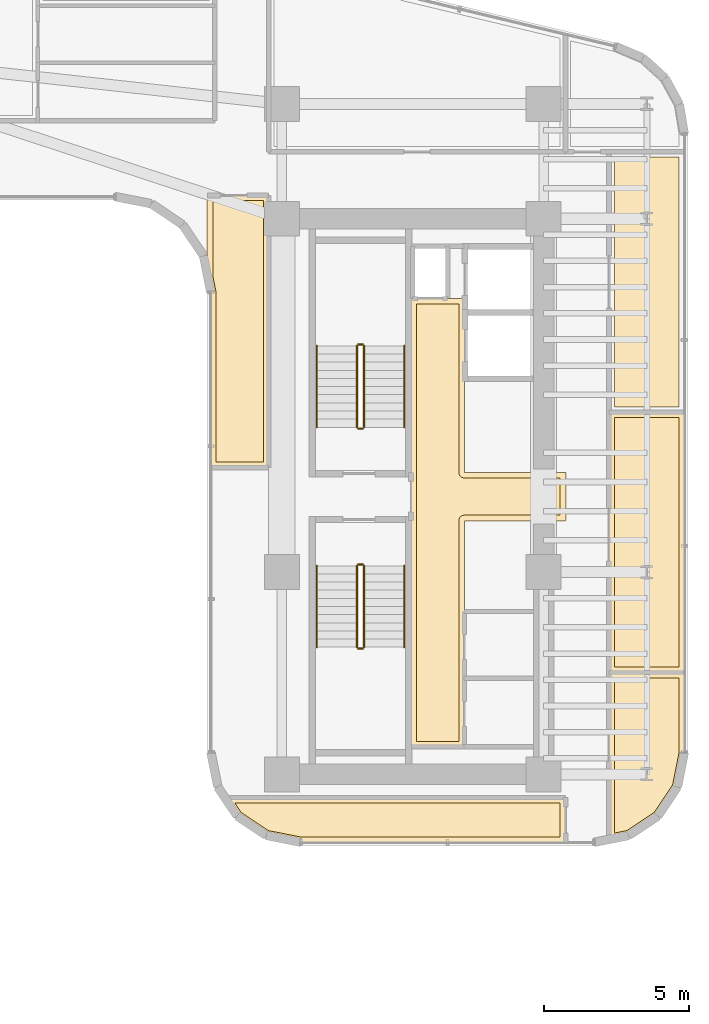
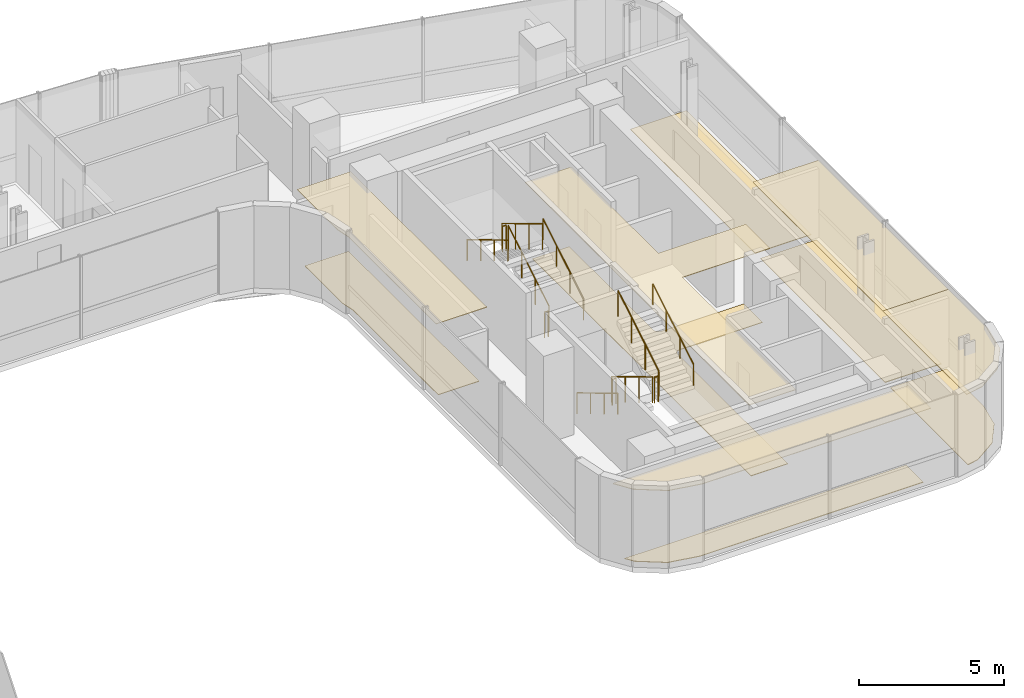
# One storey, part 36 of 38: 12 railings, 11 coverings.
"""IFC4 building model written with IfcOpenShell, lengths in metres."""

from ifc_helpers import new_model, si_unit, direction, frame, origin, origin_2d, place, context, subcontext, project, spatial, polyline, circle, outline, extrude, material, layer, layer_set, type_object, element, save


model = new_model("IFC4")

# Units and contexts
model_context = context("Model", 3, precision=1e-05, world=origin(), true_north=direction((0.0, 1.0)))
body_context = subcontext(model_context, "Body", "Model", "MODEL_VIEW")
ifc_project = project(units=[si_unit("LENGTHUNIT", "METRE"), si_unit("AREAUNIT", "SQUARE_METRE"), si_unit("VOLUMEUNIT", "CUBIC_METRE"), si_unit("PLANEANGLEUNIT", "RADIAN"), si_unit("MASSUNIT", "GRAM", prefix="KILO")], contexts=[model_context])

# Site, building, storey
site_placement = place(None, origin())
site = spatial("IfcSite", under=ifc_project, at=site_placement, CompositionType="ELEMENT")
building_placement = place(site_placement, origin())
building = spatial("IfcBuilding", under=site, at=building_placement, Name="Valdorenza Pilgrim Sanctuary Tower", CompositionType="ELEMENT")
storey_placement = place(building_placement, frame((0.0, 0.0, 131.60009765625)))
storey = spatial("IfcBuildingStorey", under=building, at=storey_placement, Name="L33", CompositionType="ELEMENT", Elevation=131.60009765625)

# Coverings
ifc_material_1 = material(Name="Micro-perforated acoustic mineral ceiling tile", Category="gypsum")
ifc_layer_1 = layer(ifc_material_1, 0.02490234375, Name="Micro-perforated acoustic mineral ceiling tile")
ifc_layer_set_1 = layer_set([ifc_layer_1], Name="Micro-perforated acoustic mineral ceiling tile")
covering_type_1 = type_object("IfcCoveringType", Name="COV-CLG-ACU", PredefinedType="CEILING", material=ifc_layer_set_1)
covering_1_placement = place(storey_placement, frame((0.0, 0.0, 3.159912109375)))
element("IfcCovering", 1, at=covering_1_placement, inside=storey, type_object=covering_type_1, Name="L33 Core B Passenger Lift Lobby Acoustic Ceiling", PredefinedType="CEILING", context=body_context, shape_type="SweptSolid", body=[
    extrude(outline(polyline([(20.287109375, -0.814697265625), (20.287109375, 0.814697265625), (20.28662109375, 0.815185546875), (20.2861328125, 0.81640625), (20.28564453125, 0.81787109375), (20.285400390625, 0.819091796875), (20.28515625, 0.820556640625), (20.284912109375, 0.822021484375), (20.284912109375, 6.800048828125), (20.28515625, 6.801513671875), (20.285400390625, 6.802978515625), (20.28564453125, 6.804443359375), (20.2861328125, 6.8056640625), (20.286865234375, 6.80712890625), (20.28759765625, 6.808349609375), (20.288330078125, 6.8095703125), (20.289306640625, 6.810546875), (20.29052734375, 6.8115234375), (20.291748046875, 6.8125), (20.29296875, 6.813232421875), (20.294189453125, 6.81396484375), (20.295654296875, 6.814453125), (20.297119140625, 6.814697265625), (20.298583984375, 6.81494140625), (20.300048828125, 6.81494140625), (20.347900390625, 6.81494140625), (20.349365234375, 6.81494140625), (20.350830078125, 6.814697265625), (20.352294921875, 6.814453125), (20.353515625, 6.81396484375), (20.35498046875, 6.813232421875), (20.35546875, 6.81298828125), (21.544677734375, 6.81298828125), (21.545166015625, 6.813232421875), (21.54638671875, 6.81396484375), (21.5478515625, 6.814453125), (21.54931640625, 6.814697265625), (21.550537109375, 6.81494140625), (21.552001953125, 6.81494140625), (22.1201171875, 6.81494140625), (22.12158203125, 6.81494140625), (22.122802734375, 6.814697265625), (22.12451171875, 6.814453125), (22.125732421875, 6.81396484375), (22.127197265625, 6.813232421875), (22.12841796875, 6.8125), (22.12939453125, 6.8115234375), (22.130615234375, 6.810546875), (22.131591796875, 6.8095703125), (22.132568359375, 6.808349609375), (22.13330078125, 6.80712890625), (22.1337890625, 6.8056640625), (22.134521484375, 6.804443359375), (22.134765625, 6.802978515625), (22.135009765625, 6.801513671875), (22.135009765625, 6.800048828125), (22.135009765625, 0.8349609375), (25.60009765625, 0.8349609375), (25.6015625, 0.8349609375), (25.602783203125, 0.834716796875), (25.6044921875, 0.83447265625), (25.605712890625, 0.833984375), (25.607177734375, 0.833251953125), (25.6083984375, 0.83251953125), (25.609619140625, 0.83154296875), (25.610595703125, 0.83056640625), (25.611572265625, 0.82958984375), (25.612548828125, 0.828369140625), (25.61328125, 0.8271484375), (25.614013671875, 0.82568359375), (25.614501953125, 0.824462890625), (25.61474609375, 0.822998046875), (25.614990234375, 0.821533203125), (25.614990234375, 0.820068359375), (25.614990234375, -0.820068359375), (25.614990234375, -0.821533203125), (25.61474609375, -0.822998046875), (25.614501953125, -0.824462890625), (25.614013671875, -0.82568359375), (25.61328125, -0.8271484375), (25.612548828125, -0.828369140625), (25.611572265625, -0.82958984375), (25.610595703125, -0.83056640625), (25.609619140625, -0.83154296875), (25.6083984375, -0.83251953125), (25.607177734375, -0.833251953125), (25.605712890625, -0.833984375), (25.6044921875, -0.83447265625), (25.602783203125, -0.834716796875), (25.6015625, -0.8349609375), (25.60009765625, -0.8349609375), (22.135009765625, -0.8349609375), (22.135009765625, -8.60009765625), (22.135009765625, -8.6015625), (22.134765625, -8.602783203125), (22.134521484375, -8.6044921875), (22.1337890625, -8.605712890625), (22.13330078125, -8.607177734375), (22.132568359375, -8.6083984375), (22.131591796875, -8.609619140625), (22.130615234375, -8.610595703125), (22.12939453125, -8.611572265625), (22.12841796875, -8.612548828125), (22.127197265625, -8.61328125), (22.125732421875, -8.614013671875), (22.12451171875, -8.614501953125), (22.122802734375, -8.61474609375), (22.12158203125, -8.614990234375), (22.1201171875, -8.614990234375), (20.300048828125, -8.614990234375), (20.298583984375, -8.614990234375), (20.297119140625, -8.61474609375), (20.295654296875, -8.614501953125), (20.294189453125, -8.614013671875), (20.29296875, -8.61328125), (20.291748046875, -8.612548828125), (20.29052734375, -8.611572265625), (20.289306640625, -8.610595703125), (20.288330078125, -8.609619140625), (20.28759765625, -8.6083984375), (20.286865234375, -8.607177734375), (20.2861328125, -8.605712890625), (20.28564453125, -8.6044921875), (20.285400390625, -8.602783203125), (20.28515625, -8.6015625), (20.284912109375, -8.60009765625), (20.284912109375, -0.822021484375), (20.28515625, -0.820556640625), (20.285400390625, -0.819091796875), (20.28564453125, -0.81787109375), (20.2861328125, -0.81640625), (20.28662109375, -0.815185546875), (20.287109375, -0.814697265625)])), origin(), (0.0, 0.0, 1.0), 0.02490234375),
])
covering_2_placement = place(storey_placement, frame((0.0, 0.0, 3.159912109375)))
element("IfcCovering", 2, at=covering_2_placement, inside=storey, type_object=covering_type_1, Name="L33 Sacred Manuscript Archive L33-BS Acoustic Ceiling", PredefinedType="CEILING", context=body_context, shape_type="SweptSolid", body=[
    extrude(outline(polyline([(25.614990234375, -11.889892578125), (25.614990234375, -11.8916015625), (25.61474609375, -11.892822265625), (25.614501953125, -11.894287109375), (25.614013671875, -11.895751953125), (25.61328125, -11.897216796875), (25.612548828125, -11.898193359375), (25.611572265625, -11.8994140625), (25.610595703125, -11.900634765625), (25.609619140625, -11.901611328125), (25.6083984375, -11.902587890625), (25.607177734375, -11.9033203125), (25.605712890625, -11.90380859375), (25.6044921875, -11.904296875), (25.602783203125, -11.90478515625), (25.6015625, -11.90478515625), (25.60009765625, -11.905029296875), (16.5107421875, -11.905029296875), (16.509521484375, -11.90478515625), (16.5078125, -11.90478515625), (15.3154296875, -11.66748046875), (15.31396484375, -11.6669921875), (15.3125, -11.66650390625), (15.311279296875, -11.666015625), (15.31005859375, -11.665283203125), (14.308349609375, -10.995849609375), (14.30712890625, -10.9951171875), (14.305908203125, -10.993896484375), (14.304931640625, -10.992919921875), (14.30419921875, -10.99169921875), (13.880859375, -10.3583984375), (13.880126953125, -10.357177734375), (13.87939453125, -10.355712890625), (13.87890625, -10.3544921875), (13.878662109375, -10.352783203125), (13.87841796875, -10.3515625), (13.87841796875, -10.35009765625), (13.87841796875, -10.348388671875), (13.878662109375, -10.34716796875), (13.87890625, -10.345703125), (13.87939453125, -10.34423828125), (13.880126953125, -10.343017578125), (13.880859375, -10.341796875), (13.881591796875, -10.340576171875), (13.8828125, -10.33935546875), (13.8837890625, -10.33837890625), (13.885009765625, -10.33740234375), (13.88623046875, -10.3369140625), (13.8876953125, -10.336181640625), (13.888916015625, -10.335693359375), (13.890380859375, -10.335205078125), (13.891845703125, -10.335205078125), (13.893310546875, -10.3349609375), (25.60009765625, -10.3349609375), (25.6015625, -10.335205078125), (25.602783203125, -10.335205078125), (25.6044921875, -10.335693359375), (25.605712890625, -10.336181640625), (25.607177734375, -10.3369140625), (25.6083984375, -10.33740234375), (25.609619140625, -10.33837890625), (25.610595703125, -10.33935546875), (25.611572265625, -10.340576171875), (25.612548828125, -10.341796875), (25.61328125, -10.343017578125), (25.614013671875, -10.34423828125), (25.614501953125, -10.345703125), (25.61474609375, -10.34716796875), (25.614990234375, -10.348388671875), (25.614990234375, -10.35009765625), (25.614990234375, -11.889892578125)])), origin(), (0.0, 0.0, 1.0), 0.02490234375),
])
covering_3_placement = place(storey_placement, frame((0.0, 0.0, 3.159912109375)))
element("IfcCovering", 3, at=covering_3_placement, inside=storey, type_object=covering_type_1, Name="L33 East Reading Lounge L33-EB1 Acoustic Ceiling", PredefinedType="CEILING", context=body_context, shape_type="SweptSolid", body=[
    extrude(outline(polyline([(29.68994140625, -6.034912109375), (29.69140625, -6.03515625), (29.69287109375, -6.035400390625), (29.6943359375, -6.03564453125), (29.69580078125, -6.0361328125), (29.697021484375, -6.036865234375), (29.6982421875, -6.03759765625), (29.699462890625, -6.038330078125), (29.70068359375, -6.039306640625), (29.70166015625, -6.04052734375), (29.702392578125, -6.041748046875), (29.703125, -6.04296875), (29.703857421875, -6.044189453125), (29.704345703125, -6.045654296875), (29.70458984375, -6.047119140625), (29.704833984375, -6.048583984375), (29.705078125, -6.050048828125), (29.705078125, -8.789306640625), (29.704833984375, -8.79052734375), (29.70458984375, -8.7919921875), (29.467529296875, -9.984619140625), (29.467041015625, -9.986083984375), (29.466552734375, -9.9873046875), (29.466064453125, -9.98876953125), (29.46533203125, -9.989990234375), (28.7958984375, -10.99169921875), (28.794921875, -10.992919921875), (28.7939453125, -10.993896484375), (28.79296875, -10.9951171875), (28.791748046875, -10.995849609375), (27.7900390625, -11.665283203125), (27.788818359375, -11.666015625), (27.787353515625, -11.66650390625), (27.785888671875, -11.6669921875), (27.78466796875, -11.66748046875), (27.102783203125, -11.802978515625), (27.1015625, -11.80322265625), (27.10009765625, -11.803466796875), (27.098388671875, -11.80322265625), (27.09716796875, -11.802978515625), (27.095703125, -11.802734375), (27.09423828125, -11.80224609375), (27.093017578125, -11.801513671875), (27.091796875, -11.80078125), (27.090576171875, -11.800048828125), (27.08935546875, -11.799072265625), (27.08837890625, -11.7978515625), (27.08740234375, -11.796630859375), (27.0869140625, -11.79541015625), (27.086181640625, -11.794189453125), (27.085693359375, -11.792724609375), (27.085205078125, -11.791259765625), (27.085205078125, -11.789794921875), (27.0849609375, -11.788330078125), (27.0849609375, -6.050048828125), (27.085205078125, -6.048583984375), (27.085205078125, -6.047119140625), (27.085693359375, -6.045654296875), (27.086181640625, -6.044189453125), (27.0869140625, -6.04296875), (27.08740234375, -6.041748046875), (27.08837890625, -6.04052734375), (27.08935546875, -6.039306640625), (27.090576171875, -6.038330078125), (27.091796875, -6.03759765625), (27.093017578125, -6.036865234375), (27.09423828125, -6.0361328125), (27.095703125, -6.03564453125), (27.09716796875, -6.035400390625), (27.098388671875, -6.03515625), (27.10009765625, -6.034912109375), (29.68994140625, -6.034912109375)])), origin(), (0.0, 0.0, 1.0), 0.02490234375),
])
covering_4_placement = place(storey_placement, frame((0.0, 0.0, 3.159912109375)))
element("IfcCovering", 4, at=covering_4_placement, inside=storey, type_object=covering_type_1, Name="L33 East Reading Lounge L33-EB2 Acoustic Ceiling", PredefinedType="CEILING", context=body_context, shape_type="SweptSolid", body=[
    extrude(outline(polyline([(27.0849609375, 2.89990234375), (27.085205078125, 2.901611328125), (27.085205078125, 2.90283203125), (27.085693359375, 2.904296875), (27.086181640625, 2.90576171875), (27.0869140625, 2.906982421875), (27.08740234375, 2.908203125), (27.08837890625, 2.909423828125), (27.08935546875, 2.91064453125), (27.090576171875, 2.91162109375), (27.091796875, 2.91259765625), (27.093017578125, 2.9130859375), (27.09423828125, 2.913818359375), (27.095703125, 2.914306640625), (27.09716796875, 2.914794921875), (27.098388671875, 2.914794921875), (27.10009765625, 2.9150390625), (29.68994140625, 2.9150390625), (29.69140625, 2.914794921875), (29.69287109375, 2.914794921875), (29.6943359375, 2.914306640625), (29.69580078125, 2.913818359375), (29.697021484375, 2.9130859375), (29.6982421875, 2.91259765625), (29.699462890625, 2.91162109375), (29.70068359375, 2.91064453125), (29.70166015625, 2.909423828125), (29.702392578125, 2.908203125), (29.703125, 2.906982421875), (29.703857421875, 2.90576171875), (29.704345703125, 2.904296875), (29.70458984375, 2.90283203125), (29.704833984375, 2.901611328125), (29.705078125, 2.89990234375), (29.705078125, -6.048095703125), (29.704833984375, -6.049560546875), (29.70458984375, -6.05078125), (29.704345703125, -6.052490234375), (29.703857421875, -6.0537109375), (29.703125, -6.05517578125), (29.702392578125, -6.056396484375), (29.70166015625, -6.0576171875), (29.70068359375, -6.05859375), (29.699462890625, -6.0595703125), (29.6982421875, -6.060546875), (29.697021484375, -6.061279296875), (29.69580078125, -6.06201171875), (29.6943359375, -6.0625), (29.69287109375, -6.062744140625), (29.69140625, -6.06298828125), (29.68994140625, -6.06298828125), (27.10009765625, -6.06298828125), (27.098388671875, -6.06298828125), (27.09716796875, -6.062744140625), (27.095703125, -6.0625), (27.09423828125, -6.06201171875), (27.093017578125, -6.061279296875), (27.091796875, -6.060546875), (27.090576171875, -6.0595703125), (27.08935546875, -6.05859375), (27.08837890625, -6.0576171875), (27.08740234375, -6.056396484375), (27.0869140625, -6.05517578125), (27.086181640625, -6.0537109375), (27.085693359375, -6.052490234375), (27.085205078125, -6.05078125), (27.085205078125, -6.049560546875), (27.0849609375, -6.048095703125), (27.0849609375, 2.89990234375)])), origin(), (0.0, 0.0, 1.0), 0.02490234375),
])
covering_5_placement = place(storey_placement, frame((0.0, 0.0, 3.159912109375)))
element("IfcCovering", 5, at=covering_5_placement, inside=storey, type_object=covering_type_1, Name="L33 Courtyard Overlook Salon L33 Acoustic Ceiling", PredefinedType="CEILING", context=body_context, shape_type="SweptSolid", body=[
    extrude(outline(polyline([(15.39990234375, 10.364990234375), (15.401611328125, 10.364990234375), (15.40283203125, 10.36474609375), (15.404296875, 10.364501953125), (15.40576171875, 10.364013671875), (15.406982421875, 10.36328125), (15.408203125, 10.362548828125), (15.409423828125, 10.361572265625), (15.41064453125, 10.360595703125), (15.41162109375, 10.359619140625), (15.41259765625, 10.3583984375), (15.4130859375, 10.357177734375), (15.413818359375, 10.355712890625), (15.414306640625, 10.3544921875), (15.414794921875, 10.352783203125), (15.414794921875, 10.3515625), (15.4150390625, 10.35009765625), (15.4150390625, 1.0), (15.414794921875, 0.99853515625), (15.414794921875, 0.9970703125), (15.414306640625, 0.99560546875), (15.413818359375, 0.994384765625), (15.4130859375, 0.992919921875), (15.41259765625, 0.99169921875), (15.41162109375, 0.990478515625), (15.41064453125, 0.989501953125), (15.409423828125, 0.98828125), (15.408203125, 0.987548828125), (15.406982421875, 0.98681640625), (15.40576171875, 0.986083984375), (15.404296875, 0.985595703125), (15.40283203125, 0.9853515625), (15.401611328125, 0.985107421875), (15.39990234375, 0.985107421875), (13.409912109375, 0.985107421875), (13.408447265625, 0.985107421875), (13.406982421875, 0.9853515625), (13.405517578125, 0.985595703125), (13.404296875, 0.986083984375), (13.40283203125, 0.98681640625), (13.401611328125, 0.987548828125), (13.400390625, 0.98828125), (13.3994140625, 0.989501953125), (13.3984375, 0.990478515625), (13.3974609375, 0.99169921875), (13.396728515625, 0.992919921875), (13.39599609375, 0.994384765625), (13.3955078125, 0.99560546875), (13.395263671875, 0.9970703125), (13.39501953125, 0.99853515625), (13.39501953125, 1.0), (13.39501953125, 6.99951171875), (13.39453125, 7.00927734375), (13.39306640625, 7.018798828125), (13.285400390625, 7.560791015625), (13.28515625, 7.562255859375), (13.284912109375, 7.563720703125), (13.284912109375, 10.35009765625), (13.28515625, 10.3515625), (13.285400390625, 10.352783203125), (13.28564453125, 10.3544921875), (13.2861328125, 10.355712890625), (13.286865234375, 10.357177734375), (13.28759765625, 10.3583984375), (13.288330078125, 10.359619140625), (13.289306640625, 10.360595703125), (13.29052734375, 10.361572265625), (13.291748046875, 10.362548828125), (13.29296875, 10.36328125), (13.294189453125, 10.364013671875), (13.295654296875, 10.364501953125), (13.297119140625, 10.36474609375), (13.298583984375, 10.364990234375), (13.300048828125, 10.364990234375), (15.39990234375, 10.364990234375)])), origin(), (0.0, 0.0, 1.0), 0.02490234375),
])
ifc_material_2 = material(Name="Honed travertine stone flooring", Category="masonry")
ifc_layer_2 = layer(ifc_material_2, 0.030029296875, Name="Honed travertine stone flooring")
ifc_layer_set_2 = layer_set([ifc_layer_2], Name="Honed travertine stone flooring")
covering_type_2 = type_object("IfcCoveringType", Name="COV-FLR-TRV", PredefinedType="FLOORING", material=ifc_layer_set_2)
covering_6_placement = place(storey_placement, origin())
element("IfcCovering", 6, at=covering_6_placement, inside=storey, type_object=covering_type_2, Name="L33 Core B Passenger Lift Lobby Flooring", PredefinedType="FLOORING", context=body_context, shape_type="SweptSolid", body=[
    extrude(outline(polyline([(20.47998046875, 6.617919921875), (21.550048828125, 6.617919921875), (21.550537109375, 6.617919921875), (21.93994140625, 6.619384765625), (21.93994140625, 0.820068359375), (21.94091796875, 0.802490234375), (21.943603515625, 0.784912109375), (21.94775390625, 0.767578125), (21.95361328125, 0.751220703125), (21.961181640625, 0.735107421875), (21.97021484375, 0.719970703125), (21.98095703125, 0.705810546875), (21.99267578125, 0.692626953125), (22.005859375, 0.680908203125), (22.02001953125, 0.67041015625), (22.03515625, 0.661376953125), (22.051025390625, 0.65380859375), (22.067626953125, 0.647705078125), (22.0849609375, 0.6435546875), (22.102294921875, 0.640869140625), (22.1201171875, 0.639892578125), (25.419921875, 0.639892578125), (25.419921875, -0.639892578125), (22.1201171875, -0.639892578125), (22.102294921875, -0.640869140625), (22.0849609375, -0.6435546875), (22.067626953125, -0.647705078125), (22.051025390625, -0.65380859375), (22.03515625, -0.661376953125), (22.02001953125, -0.67041015625), (22.005859375, -0.680908203125), (21.99267578125, -0.692626953125), (21.98095703125, -0.705810546875), (21.97021484375, -0.719970703125), (21.961181640625, -0.735107421875), (21.95361328125, -0.751220703125), (21.94775390625, -0.767578125), (21.943603515625, -0.784912109375), (21.94091796875, -0.802490234375), (21.93994140625, -0.820068359375), (21.93994140625, -8.419921875), (20.47998046875, -8.419921875), (20.47998046875, -0.846923828125), (20.47998046875, -0.8466796875), (20.47998046875, -0.8466796875), (20.481689453125, -0.8291015625), (20.481689453125, -0.828857421875), (20.48193359375, -0.820068359375), (20.48193359375, 0.820068359375), (20.47998046875, 6.617919921875)])), origin(), (0.0, 0.0, 1.0), 0.02490234375),
])
covering_7_placement = place(storey_placement, origin())
element("IfcCovering", 7, at=covering_7_placement, inside=storey, type_object=covering_type_2, Name="L33 Sacred Manuscript Archive L33-BS Flooring", PredefinedType="FLOORING", context=body_context, shape_type="SweptSolid", body=[
    extrude(outline(polyline([(25.419921875, -11.7099609375), (16.528564453125, -11.7099609375), (15.388671875, -11.483154296875), (14.4462890625, -10.853515625), (14.22998046875, -10.530029296875), (25.419921875, -10.530029296875), (25.419921875, -11.7099609375)])), origin(), (0.0, 0.0, 1.0), 0.02490234375),
])
covering_8_placement = place(storey_placement, origin())
element("IfcCovering", 8, at=covering_8_placement, inside=storey, type_object=covering_type_2, Name="L33 East Reading Lounge L33-EB1 Flooring", PredefinedType="FLOORING", context=body_context, shape_type="SweptSolid", body=[
    extrude(outline(polyline([(29.510009765625, -6.22998046875), (29.510009765625, -8.771484375), (29.283203125, -9.911376953125), (28.653564453125, -10.853515625), (27.71142578125, -11.483154296875), (27.280029296875, -11.569091796875), (27.280029296875, -6.22998046875), (29.510009765625, -6.22998046875)])), origin(), (0.0, 0.0, 1.0), 0.02490234375),
])
covering_9_placement = place(storey_placement, origin())
element("IfcCovering", 9, at=covering_9_placement, inside=storey, type_object=covering_type_2, Name="L33 East Reading Lounge L33-EB2 Flooring", PredefinedType="FLOORING", context=body_context, shape_type="SweptSolid", body=[
    extrude(outline(polyline([(27.280029296875, 2.719970703125), (29.510009765625, 2.719970703125), (29.510009765625, -5.867919921875), (27.280029296875, -5.867919921875), (27.280029296875, 2.719970703125)])), origin(), (0.0, 0.0, 1.0), 0.02490234375),
])
covering_10_placement = place(storey_placement, origin())
element("IfcCovering", 10, at=covering_10_placement, inside=storey, type_object=covering_type_2, Name="L33 East Reading Lounge L33-EB3 Flooring", PredefinedType="FLOORING", context=body_context, shape_type="SweptSolid", body=[
    extrude(outline(polyline([(27.280029296875, 11.66796875), (29.510009765625, 11.66796875), (29.510009765625, 3.08203125), (27.280029296875, 3.08203125), (27.280029296875, 11.66796875)])), origin(), (0.0, 0.0, 1.0), 0.02490234375),
])
covering_11_placement = place(storey_placement, origin())
element("IfcCovering", 11, at=covering_11_placement, inside=storey, type_object=covering_type_2, Name="L33 Courtyard Overlook Salon L33 Flooring", PredefinedType="FLOORING", context=body_context, shape_type="SweptSolid", body=[
    extrude(outline(polyline([(15.219970703125, 10.169921875), (15.219970703125, 1.179931640625), (13.590087890625, 1.179931640625), (13.590087890625, 7.0), (13.58984375, 7.0087890625), (13.58935546875, 7.01953125), (13.58740234375, 7.037109375), (13.5859375, 7.0478515625), (13.58447265625, 7.056640625), (13.47998046875, 7.58154296875), (13.47998046875, 10.169921875), (15.219970703125, 10.169921875)])), origin(), (0.0, 0.0, 1.0), 0.02490234375),
])

# Railings
ifc_material_3 = material(Name="Stainless steel Grade 316", Category="steel")
railing_type_1 = type_object("IfcRailingType", Name="RLG-GRD-1120", PredefinedType="GUARDRAIL", material=ifc_material_3)
railing_1_placement = place(storey_placement, frame((18.679931640625, 2.3798828125, 0.16796875)))
element("IfcRailing", 12, at=railing_1_placement, inside=storey, type_object=railing_type_1, Name="L33 ST-B1 stair guard 1", PredefinedType="GUARDRAIL", context=body_context, shape_type="SweptSolid", body=[
    extrude(circle(Radius=0.02392578125, at=origin_2d()), frame((0.0, 0.0, 1.076171875), z_axis=(0.0, 0.857242210791, 0.514913383045), x_axis=(-1.0, 0.0, 0.0)), (0.0, 0.0, 1.0), 3.266357421875),
    extrude(circle(Radius=0.02099609375, at=origin_2d()), origin(), (0.0, 0.0, 1.0), 1.052001953125),
    extrude(circle(Radius=0.02099609375, at=origin_2d()), frame((0.0, 0.933349609375, 0.560546875)), (0.0, 0.0, 1.0), 1.052001953125),
    extrude(circle(Radius=0.02099609375, at=origin_2d()), frame((0.0, 1.86669921875, 1.121337890625)), (0.0, 0.0, 1.0), 1.052001953125),
    extrude(circle(Radius=0.02099609375, at=origin_2d()), frame((0.0, 2.800048828125, 1.681884765625)), (0.0, 0.0, 1.0), 1.052001953125),
])
railing_2_placement = place(storey_placement, frame((18.6298828125, 5.22998046875, 1.849853515625)))
element("IfcRailing", 13, at=railing_2_placement, inside=storey, type_object=railing_type_1, Name="L33 ST-B1 stair guard 2", PredefinedType="GUARDRAIL", context=body_context, shape_type="SweptSolid", body=[
    extrude(circle(Radius=0.02392578125, at=origin_2d()), frame((0.0, 0.0, 1.076171875), z_axis=(-1.0, 0.0, 0.0), x_axis=(0.0, -1.0, 0.0)), (0.0, 0.0, 1.0), 0.14990234375),
    extrude(circle(Radius=0.02099609375, at=origin_2d()), origin(), (0.0, 0.0, 1.0), 1.052001953125),
    extrude(circle(Radius=0.02099609375, at=origin_2d()), frame((-0.14990234375, 0.0, 0.0)), (0.0, 0.0, 1.0), 1.052001953125),
])
railing_3_placement = place(storey_placement, frame((18.429931640625, 5.179931640625, 2.01806640625)))
element("IfcRailing", 14, at=railing_3_placement, inside=storey, type_object=railing_type_1, Name="L33 ST-B1 stair guard 3", PredefinedType="GUARDRAIL", context=body_context, shape_type="SweptSolid", body=[
    extrude(circle(Radius=0.02392578125, at=origin_2d()), frame((0.0, 0.0, 1.076171875), z_axis=(0.0, -0.857242210791, 0.514913383045), x_axis=(1.0, 0.0, 0.0)), (0.0, 0.0, 1.0), 3.266357421875),
    extrude(circle(Radius=0.02099609375, at=origin_2d()), origin(), (0.0, 0.0, 1.0), 1.052001953125),
    extrude(circle(Radius=0.02099609375, at=origin_2d()), frame((0.0, -0.933349609375, 0.560546875)), (0.0, 0.0, 1.0), 1.052001953125),
    extrude(circle(Radius=0.02099609375, at=origin_2d()), frame((0.0, -1.86669921875, 1.121337890625)), (0.0, 0.0, 1.0), 1.052001953125),
    extrude(circle(Radius=0.02099609375, at=origin_2d()), frame((0.0, -2.800048828125, 1.681884765625)), (0.0, 0.0, 1.0), 1.052001953125),
])
railing_4_placement = place(storey_placement, frame((18.6298828125, 2.330078125, 0.0)))
element("IfcRailing", 15, at=railing_4_placement, inside=storey, type_object=railing_type_1, Name="L33 ST-B1 stair guard 4", PredefinedType="GUARDRAIL", context=body_context, shape_type="SweptSolid", body=[
    extrude(circle(Radius=0.02392578125, at=origin_2d()), frame((0.0, 0.0, 1.076171875), z_axis=(-1.0, 0.0, 0.0), x_axis=(0.0, -1.0, 0.0)), (0.0, 0.0, 1.0), 0.14990234375),
    extrude(circle(Radius=0.02099609375, at=origin_2d()), origin(), (0.0, 0.0, 1.0), 1.052001953125),
    extrude(circle(Radius=0.02099609375, at=origin_2d()), frame((-0.14990234375, 0.0, 0.0)), (0.0, 0.0, 1.0), 1.052001953125),
])
railing_5_placement = place(storey_placement, frame((18.429931640625, -2.3798828125, 0.16796875)))
element("IfcRailing", 16, at=railing_5_placement, inside=storey, type_object=railing_type_1, Name="L33 ST-B2 stair guard 1", PredefinedType="GUARDRAIL", context=body_context, shape_type="SweptSolid", body=[
    extrude(circle(Radius=0.02392578125, at=origin_2d()), frame((0.0, 0.0, 1.076171875), z_axis=(0.0, -0.857242210791, 0.514913383045), x_axis=(1.0, 0.0, 0.0)), (0.0, 0.0, 1.0), 3.266357421875),
    extrude(circle(Radius=0.02099609375, at=origin_2d()), origin(), (0.0, 0.0, 1.0), 1.052001953125),
    extrude(circle(Radius=0.02099609375, at=origin_2d()), frame((0.0, -0.933349609375, 0.560546875)), (0.0, 0.0, 1.0), 1.052001953125),
    extrude(circle(Radius=0.02099609375, at=origin_2d()), frame((0.0, -1.86669921875, 1.121337890625)), (0.0, 0.0, 1.0), 1.052001953125),
    extrude(circle(Radius=0.02099609375, at=origin_2d()), frame((0.0, -2.800048828125, 1.681884765625)), (0.0, 0.0, 1.0), 1.052001953125),
])
railing_6_placement = place(storey_placement, frame((18.47998046875, -5.22998046875, 1.849853515625)))
element("IfcRailing", 17, at=railing_6_placement, inside=storey, type_object=railing_type_1, Name="L33 ST-B2 stair guard 2", PredefinedType="GUARDRAIL", context=body_context, shape_type="SweptSolid", body=[
    extrude(circle(Radius=0.02392578125, at=origin_2d()), frame((0.0, 0.0, 1.076171875), z_axis=(1.0, 0.0, 0.0), x_axis=(0.0, 1.0, 0.0)), (0.0, 0.0, 1.0), 0.14990234375),
    extrude(circle(Radius=0.02099609375, at=origin_2d()), origin(), (0.0, 0.0, 1.0), 1.052001953125),
    extrude(circle(Radius=0.02099609375, at=origin_2d()), frame((0.14990234375, 0.0, 0.0)), (0.0, 0.0, 1.0), 1.052001953125),
])
railing_7_placement = place(storey_placement, frame((18.679931640625, -5.179931640625, 2.01806640625)))
element("IfcRailing", 18, at=railing_7_placement, inside=storey, type_object=railing_type_1, Name="L33 ST-B2 stair guard 3", PredefinedType="GUARDRAIL", context=body_context, shape_type="SweptSolid", body=[
    extrude(circle(Radius=0.02392578125, at=origin_2d()), frame((0.0, 0.0, 1.076171875), z_axis=(0.0, 0.857242210791, 0.514913383045), x_axis=(-1.0, 0.0, 0.0)), (0.0, 0.0, 1.0), 3.266357421875),
    extrude(circle(Radius=0.02099609375, at=origin_2d()), origin(), (0.0, 0.0, 1.0), 1.052001953125),
    extrude(circle(Radius=0.02099609375, at=origin_2d()), frame((0.0, 0.933349609375, 0.560546875)), (0.0, 0.0, 1.0), 1.052001953125),
    extrude(circle(Radius=0.02099609375, at=origin_2d()), frame((0.0, 1.86669921875, 1.121337890625)), (0.0, 0.0, 1.0), 1.052001953125),
    extrude(circle(Radius=0.02099609375, at=origin_2d()), frame((0.0, 2.800048828125, 1.681884765625)), (0.0, 0.0, 1.0), 1.052001953125),
])
railing_8_placement = place(storey_placement, frame((18.47998046875, -2.330078125, 0.0)))
element("IfcRailing", 19, at=railing_8_placement, inside=storey, type_object=railing_type_1, Name="L33 ST-B2 stair guard 4", PredefinedType="GUARDRAIL", context=body_context, shape_type="SweptSolid", body=[
    extrude(circle(Radius=0.02392578125, at=origin_2d()), frame((0.0, 0.0, 1.076171875), z_axis=(1.0, 0.0, 0.0), x_axis=(0.0, 1.0, 0.0)), (0.0, 0.0, 1.0), 0.14990234375),
    extrude(circle(Radius=0.02099609375, at=origin_2d()), origin(), (0.0, 0.0, 1.0), 1.052001953125),
    extrude(circle(Radius=0.02099609375, at=origin_2d()), frame((0.14990234375, 0.0, 0.0)), (0.0, 0.0, 1.0), 1.052001953125),
])
ifc_material_4 = material(Name="Brushed stainless steel Grade 316", Category="steel")
railing_type_2 = type_object("IfcRailingType", Name="RLG-HND-920", PredefinedType="HANDRAIL", material=ifc_material_4)
railing_9_placement = place(storey_placement, frame((20.06005859375, 2.3798828125, 0.16796875)))
element("IfcRailing", 20, at=railing_9_placement, inside=storey, type_object=railing_type_2, Name="L33 ST-B1 stair handrail 1", PredefinedType="HANDRAIL", context=body_context, shape_type="SweptSolid", body=[
    extrude(circle(Radius=0.02392578125, at=origin_2d()), frame((0.0, 0.0, 0.8759765625), z_axis=(0.0, 0.857242210791, 0.514913383045), x_axis=(-1.0, 0.0, 0.0)), (0.0, 0.0, 1.0), 3.266357421875),
    extrude(circle(Radius=0.02099609375, at=origin_2d()), origin(), (0.0, 0.0, 1.0), 0.851806640625),
    extrude(circle(Radius=0.02099609375, at=origin_2d()), frame((0.0, 0.933349609375, 0.560546875)), (0.0, 0.0, 1.0), 0.851806640625),
    extrude(circle(Radius=0.02099609375, at=origin_2d()), frame((0.0, 1.86669921875, 1.121337890625)), (0.0, 0.0, 1.0), 0.851806640625),
    extrude(circle(Radius=0.02099609375, at=origin_2d()), frame((0.0, 2.800048828125, 1.681884765625)), (0.0, 0.0, 1.0), 0.851806640625),
])
for number, where, name in (
    (21, (17.050048828125, 5.179931640625, 2.01806640625), "L33 ST-B1 stair handrail 2"),
    (22, (17.050048828125, -2.3798828125, 0.16796875), "L33 ST-B2 stair handrail 1"),
):
    element("IfcRailing", number, at=place(storey_placement, frame(where)), inside=storey, type_object=railing_type_2, Name=name, PredefinedType="HANDRAIL", context=body_context, shape_type="SweptSolid", body=[
        extrude(circle(Radius=0.02392578125, at=origin_2d()), frame((0.0, 0.0, 0.8759765625), z_axis=(0.0, -0.857242210791, 0.514913383045), x_axis=(1.0, 0.0, 0.0)), (0.0, 0.0, 1.0), 3.266357421875),
        extrude(circle(Radius=0.02099609375, at=origin_2d()), origin(), (0.0, 0.0, 1.0), 0.851806640625),
        extrude(circle(Radius=0.02099609375, at=origin_2d()), frame((0.0, -0.933349609375, 0.560546875)), (0.0, 0.0, 1.0), 0.851806640625),
        extrude(circle(Radius=0.02099609375, at=origin_2d()), frame((0.0, -1.86669921875, 1.121337890625)), (0.0, 0.0, 1.0), 0.851806640625),
        extrude(circle(Radius=0.02099609375, at=origin_2d()), frame((0.0, -2.800048828125, 1.681884765625)), (0.0, 0.0, 1.0), 0.851806640625),
    ])
railing_10_placement = place(storey_placement, frame((20.06005859375, -5.179931640625, 2.01806640625)))
element("IfcRailing", 23, at=railing_10_placement, inside=storey, type_object=railing_type_2, Name="L33 ST-B2 stair handrail 2", PredefinedType="HANDRAIL", context=body_context, shape_type="SweptSolid", body=[
    extrude(circle(Radius=0.02392578125, at=origin_2d()), frame((0.0, 0.0, 0.8759765625), z_axis=(0.0, 0.857242210791, 0.514913383045), x_axis=(-1.0, 0.0, 0.0)), (0.0, 0.0, 1.0), 3.266357421875),
    extrude(circle(Radius=0.02099609375, at=origin_2d()), origin(), (0.0, 0.0, 1.0), 0.851806640625),
    extrude(circle(Radius=0.02099609375, at=origin_2d()), frame((0.0, 0.933349609375, 0.560546875)), (0.0, 0.0, 1.0), 0.851806640625),
    extrude(circle(Radius=0.02099609375, at=origin_2d()), frame((0.0, 1.86669921875, 1.121337890625)), (0.0, 0.0, 1.0), 0.851806640625),
    extrude(circle(Radius=0.02099609375, at=origin_2d()), frame((0.0, 2.800048828125, 1.681884765625)), (0.0, 0.0, 1.0), 0.851806640625),
])

save(model, "model.ifc")
